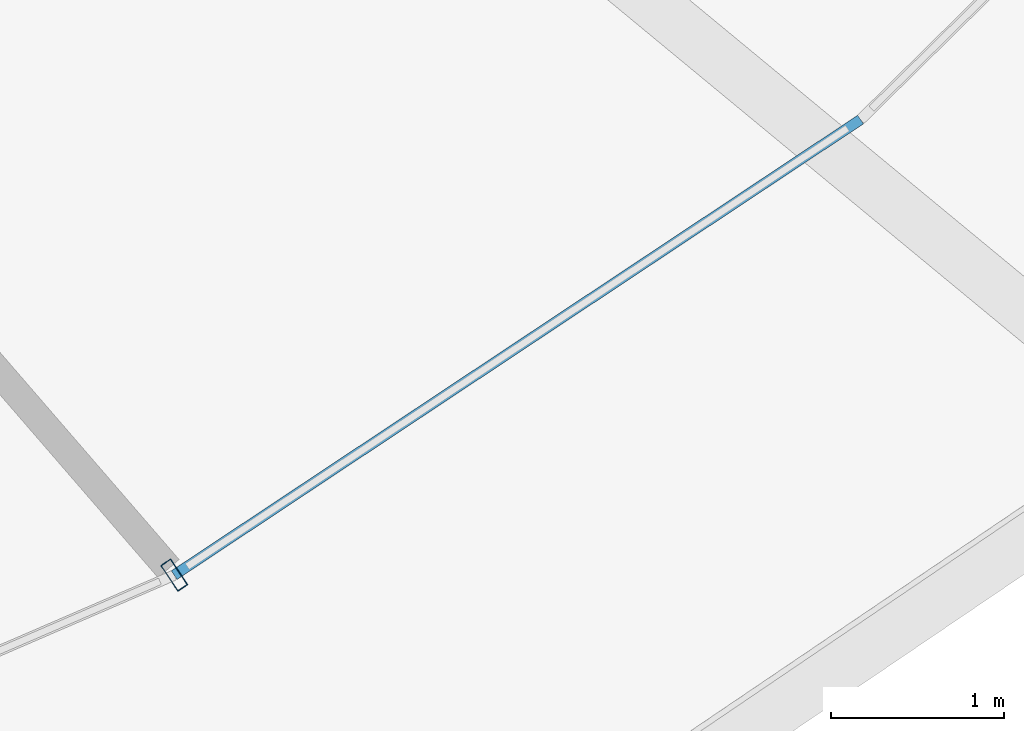
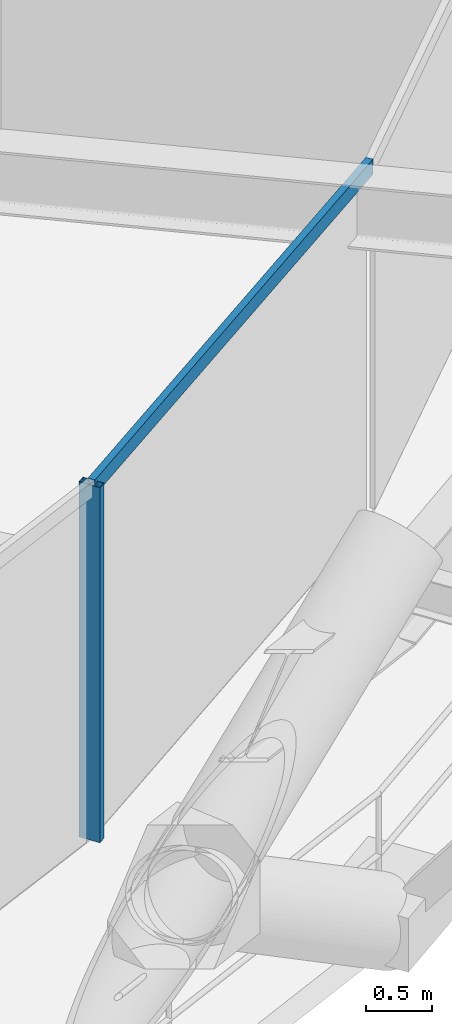
# One storey, part 8 of 21: 2 members, 1 element without a shape of its own.
"""IFC4 building model written with IfcOpenShell, lengths in metres."""

import ifcopenshell
import ifcopenshell.guid

model = None  # the IFC model being written
_history = None  # IfcOwnerHistory: only IFC2X3 demands one
_inside = {}  # id of a spatial element -> (the spatial element, [elements in it])
_under = {}  # id of a project, library or spatial element -> (it, [spatial elements below it])
_declared = {}  # id of a project -> (the project, [libraries it declares])
_typed = {}  # id of a type object -> (the type object, [elements of that type])
_made_of = {}  # id of a material, layer set ... -> (it, [elements and type objects made of it])


def new_model(schema):
    """Start an empty IFC model of exactly this schema.

    Asked for "IFC4X3", IfcOpenShell would pick the latest addendum, in which some entities
    have other attributes; the version numbers below select the first issue.
    IFC2X3 requires an IfcOwnerHistory on every rooted entity: one is made here for all.
    """
    global model, _history
    if schema == "IFC4X3":
        model = ifcopenshell.file(schema_version=(4, 3, 0, 0))
    else:
        model = ifcopenshell.file(schema=schema)
    _inside.clear()
    _under.clear()
    _declared.clear()
    _typed.clear()
    _made_of.clear()
    _history = None
    if model.schema == "IFC2X3":
        org = make("IfcOrganization", Name="unknown")
        user = make(
            "IfcPersonAndOrganization",
            ThePerson=make("IfcPerson", FamilyName="unknown"),
            TheOrganization=org,
        )
        app = make(
            "IfcApplication",
            ApplicationDeveloper=org,
            Version="unknown",
            ApplicationFullName="unknown",
            ApplicationIdentifier="unknown",
        )
        _history = make(
            "IfcOwnerHistory",
            OwningUser=user,
            OwningApplication=app,
            ChangeAction="ADDED",
            CreationDate=0,
        )
    return model


def make(cls, **values):
    """One entity of the class cls with the attributes given. An attribute that is None is left unset."""
    return model.create_entity(
        cls, **{name: value for name, value in values.items() if value is not None}
    )


def rooted(cls, **values):
    """An entity with a GlobalId (a new one), such as an element, a storey or a relation."""
    return make(cls, GlobalId=ifcopenshell.guid.new(), OwnerHistory=_history, **values)


def si_unit(unit_type, name, prefix=None):
    """IfcSIUnit, for example si_unit("LENGTHUNIT", "METRE", prefix="MILLI")."""
    return make("IfcSIUnit", UnitType=unit_type, Prefix=prefix, Name=name)


def assignment(units):
    """IfcUnitAssignment: the units of a project."""
    return None if units is None else make("IfcUnitAssignment", Units=units)


def point(xyz):
    """IfcCartesianPoint."""
    return None if xyz is None else make("IfcCartesianPoint", Coordinates=xyz)


def direction(xyz):
    """IfcDirection."""
    return None if xyz is None else make("IfcDirection", DirectionRatios=xyz)


def frame(location, z_axis=None, x_axis=None):
    """IfcAxis2Placement3D, a coordinate frame: its origin and axes. An axis left out is left unset."""
    return make(
        "IfcAxis2Placement3D",
        Location=point(location),
        Axis=direction(z_axis),
        RefDirection=direction(x_axis),
    )


def frame_2d(location, x_axis=None):
    """IfcAxis2Placement2D, a coordinate frame in the plane: its origin and x axis."""
    return make(
        "IfcAxis2Placement2D", Location=point(location), RefDirection=direction(x_axis)
    )


def origin():
    """The frame at (0, 0, 0) with its axes left unset."""
    return frame((0.0, 0.0, 0.0))


def origin_2d():
    """The frame at (0, 0) in the plane with its x axis left unset."""
    return frame_2d((0.0, 0.0))


def place(relative_to, where):
    """IfcLocalPlacement: puts the frame where relative to a parent placement (None: the world)."""
    return make(
        "IfcLocalPlacement", PlacementRelTo=relative_to, RelativePlacement=where
    )


def context(
    kind, dimensions, precision=None, world=None, true_north=None, identifier=None
):
    """IfcGeometricRepresentationContext, for example the 3D "Model" context."""
    return make(
        "IfcGeometricRepresentationContext",
        ContextIdentifier=identifier,
        ContextType=kind,
        CoordinateSpaceDimension=dimensions,
        Precision=precision,
        WorldCoordinateSystem=world,
        TrueNorth=true_north,
    )


def subcontext(parent, identifier, kind, view, scale=None):
    """IfcGeometricRepresentationSubContext, for example "Body" below "Model"."""
    return make(
        "IfcGeometricRepresentationSubContext",
        ContextIdentifier=identifier,
        ContextType=kind,
        ParentContext=parent,
        TargetScale=scale,
        TargetView=view,
    )


def project(units=None, contexts=None):
    """IfcProject with its units and contexts."""
    return rooted(
        "IfcProject",
        Name="project",
        RepresentationContexts=contexts,
        UnitsInContext=assignment(units),
    )


def spatial(cls, under=None, at=None, **own):
    """A site, building, storey or space (cls), placed at a placement, below another one or the project."""
    s = rooted(cls, ObjectPlacement=at, **own)
    if under is not None:
        _under.setdefault(under.id(), (under, []))[1].append(s)
    return s


def profile(cls, at=None, kind="AREA", **sizes):
    """A parametric profile (cls). Its sizes go by their IFC names, for example OverallWidth=200.0."""
    return make(cls, ProfileType=kind, Position=at, **sizes)


def hollow_rectangle(**sizes):
    """IfcRectangleHollowProfileDef."""
    return profile("IfcRectangleHollowProfileDef", **sizes)


def extrude(swept, where, along, depth):
    """IfcExtrudedAreaSolid: the profile swept, set in the frame where, extruded along a direction by depth."""
    return make(
        "IfcExtrudedAreaSolid",
        SweptArea=swept,
        Position=where,
        ExtrudedDirection=direction(along),
        Depth=depth,
    )


def shape(context_of_items, identifier, shape_type, items):
    """IfcShapeRepresentation: the items that make up one representation, for example the "Body"."""
    return make(
        "IfcShapeRepresentation",
        ContextOfItems=context_of_items,
        RepresentationIdentifier=identifier,
        RepresentationType=shape_type,
        Items=items,
    )


def material(Name=None, Category=None):
    """IfcMaterial."""
    return make("IfcMaterial", Name=Name, Category=Category)


def layer(
    of_material, thickness, ventilated=None, Name=None, Category=None, Priority=None
):
    """IfcMaterialLayer: one layer of a wall or slab, of a material (None: an air gap)."""
    return make(
        "IfcMaterialLayer",
        Material=of_material,
        LayerThickness=thickness,
        IsVentilated=ventilated,
        Name=Name,
        Category=Category,
        Priority=Priority,
    )


def layer_set(layers, Name=None):
    """IfcMaterialLayerSet."""
    return make("IfcMaterialLayerSet", MaterialLayers=layers, LayerSetName=Name)


def material_profile(
    of_material, cross_section, Name=None, Category=None, Priority=None
):
    """IfcMaterialProfile: a cross section and its material."""
    return make(
        "IfcMaterialProfile",
        Name=Name,
        Material=of_material,
        Profile=cross_section,
        Priority=Priority,
        Category=Category,
    )


def profile_set(profiles, Name=None, composite=None):
    """IfcMaterialProfileSet."""
    return make(
        "IfcMaterialProfileSet",
        Name=Name,
        MaterialProfiles=profiles,
        CompositeProfile=composite,
    )


def made_of(thing, what):
    """Note that an element or type object is made of a material, layer set ...; save() writes the relation."""
    if what is not None:
        _made_of.setdefault(what.id(), (what, []))[1].append(thing)
    return thing


def type_object(cls, material=None, **own):
    """A type object (cls), such as IfcWallType, which elements share."""
    return made_of(rooted(cls, **own), material)


def element(
    cls,
    number,
    at=None,
    inside=None,
    cuts=None,
    type_object=None,
    material=None,
    context=None,
    identifier="Body",
    shape_type=None,
    held_by="IfcProductDefinitionShape",
    body=None,
    shapes=None,
    **own,
):
    """One element of the class cls, such as IfcWall. Its Tag is "e" and its number.

    at: its placement. inside: the storey or other place that contains it. cuts: it is an
    opening in that element (IfcRelVoidsElement). A single representation is given by context,
    identifier, shape_type and body (its items); several are given by shapes. held_by: the class
    of the entity that holds the representations. save() writes the other relations.
    """
    e = rooted(cls, Tag="e%d" % number, ObjectPlacement=at, **own)
    if body is not None:
        shapes = [shape(context, identifier, shape_type, body)]
    if shapes is not None:
        e.Representation = make(held_by, Representations=shapes)
    if inside is not None:
        _inside.setdefault(inside.id(), (inside, []))[1].append(e)
    if cuts is not None:
        rooted(
            "IfcRelVoidsElement", RelatingBuildingElement=cuts, RelatedOpeningElement=e
        )
    if type_object is not None:
        _typed.setdefault(type_object.id(), (type_object, []))[1].append(e)
    return made_of(e, material)


def aggregate(whole, parts):
    """IfcRelAggregates: a whole, such as a stair, and the parts it consists of."""
    return rooted("IfcRelAggregates", RelatingObject=whole, RelatedObjects=parts)


def save(model, path):
    """Write the relations noted so far, then the file.

    IfcRelAggregates (storeys below a building ...), IfcRelContainedInSpatialStructure (elements
    in a storey), IfcRelDefinesByType, IfcRelAssociatesMaterial and IfcRelDeclares: one each for
    every whole, place, type object, material and project.
    """
    for whole, parts in _under.values():
        aggregate(whole, parts)
    for where, things in _inside.values():
        rooted(
            "IfcRelContainedInSpatialStructure",
            RelatedElements=things,
            RelatingStructure=where,
        )
    for kind, things in _typed.values():
        rooted("IfcRelDefinesByType", RelatedObjects=things, RelatingType=kind)
    for what, things in _made_of.values():
        rooted("IfcRelAssociatesMaterial", RelatedObjects=things, RelatingMaterial=what)
    for by, libraries in _declared.values():
        rooted("IfcRelDeclares", RelatingContext=by, RelatedDefinitions=libraries)
    model.write(path)


model = new_model("IFC4")

# Units and contexts
model_context = context("Model", 3, precision=1e-05, world=origin(), true_north=direction((0.0, 1.0)))
body_context = subcontext(model_context, "Body", "Model", "MODEL_VIEW")
ifc_project = project(units=[si_unit("LENGTHUNIT", "METRE"), si_unit("AREAUNIT", "SQUARE_METRE"), si_unit("VOLUMEUNIT", "CUBIC_METRE"), si_unit("PLANEANGLEUNIT", "RADIAN"), si_unit("MASSUNIT", "GRAM", prefix="KILO")], contexts=[model_context])

# Site, building, storey
site_placement = place(None, origin())
site = spatial("IfcSite", under=ifc_project, at=site_placement, CompositionType="ELEMENT")
building_placement = place(site_placement, origin())
building = spatial("IfcBuilding", under=site, at=building_placement, Name="Veldorina Hangang Commons", CompositionType="ELEMENT")
storey_placement = place(building_placement, frame((0.0, 0.0, 59.199951171875)))
storey = spatial("IfcBuildingStorey", under=building, at=storey_placement, Name="L14", CompositionType="ELEMENT", Elevation=59.199951171875)

# Curtain wall, members
ifc_material_1 = material(Name="Glass Low-E Triple IGU", Category="glass")
ifc_layer = layer(ifc_material_1, 0.179931640625)
ifc_layer_set = layer_set([ifc_layer], Name="Glass Low-E Triple IGU")
curtain_wall_type = type_object("IfcCurtainWallType", Name="CW-SYS-Z1", PredefinedType="NOTDEFINED", material=ifc_layer_set)
curtain_wall_placement = place(storey_placement, origin())
curtain_wall = element("IfcCurtainWall", 1, at=curtain_wall_placement, inside=storey, type_object=curtain_wall_type, Name="L14 unitised curtain wall CW-L14-R2", PredefinedType="NOTDEFINED")
ifc_material_2 = material(Name="Aluminium Anodized AA6063-T6", Category="aluminium")
ifc_material_profile_1 = material_profile(ifc_material_2, hollow_rectangle(XDim=0.070068359375, YDim=0.179931640625, WallThickness=0.00390625, at=origin_2d()), Name="ALU-RHS-180x70x4")
ifc_profile_set_1 = profile_set([ifc_material_profile_1], Name="Aluminium Anodized AA6063-T6")
member_type_1 = type_object("IfcMemberType", Name="CW-MUL-180", PredefinedType="MULLION", material=ifc_profile_set_1)
member_1_placement = place(storey_placement, frame((46.52978515625, 6.412109375, 0.0), z_axis=(0.0, 0.0, 1.0), x_axis=(0.833162624029, 0.553028066124, 0.0)))
member_1 = element("IfcMember", 2, at=member_1_placement, type_object=member_type_1, Name="CW-L14-R2 vertical mullion 2", PredefinedType="MULLION", context=body_context, shape_type="SweptSolid", body=[
    extrude(hollow_rectangle(XDim=0.070068359375, YDim=0.179931640625, WallThickness=0.00390625, at=origin_2d()), origin(), (0.0, 0.0, 1.0), 3.300048828125),
])
ifc_material_profile_2 = material_profile(ifc_material_2, hollow_rectangle(XDim=0.06005859375, YDim=0.139892578125, WallThickness=0.00341796875, at=origin_2d()), Name="ALU-RHS-140x60x3.5")
ifc_profile_set_2 = profile_set([ifc_material_profile_2], Name="Aluminium Anodized AA6063-T6")
member_type_2 = type_object("IfcMemberType", Name="CW-TRN-140", PredefinedType="USERDEFINED", material=ifc_profile_set_2)
member_2_placement = place(storey_placement, frame((46.52978515625, 6.412109375, 3.260009765625), z_axis=(0.833161980372, 0.553029035823, 0.0), x_axis=(-0.553029035823, 0.833161980372, 0.0)))
member_2 = element("IfcMember", 3, at=member_2_placement, type_object=member_type_2, Name="CW-L14-R2 facet 3 transom 1", ObjectType="TRANSOM", PredefinedType="USERDEFINED", context=body_context, shape_type="SweptSolid", body=[
    extrude(hollow_rectangle(XDim=0.06005859375, YDim=0.139892578125, WallThickness=0.00341796875, at=origin_2d()), origin(), (0.0, 0.0, 1.0), 4.7568359375),
])
aggregate(curtain_wall, [member_1, member_2])

save(model, "model.ifc")
